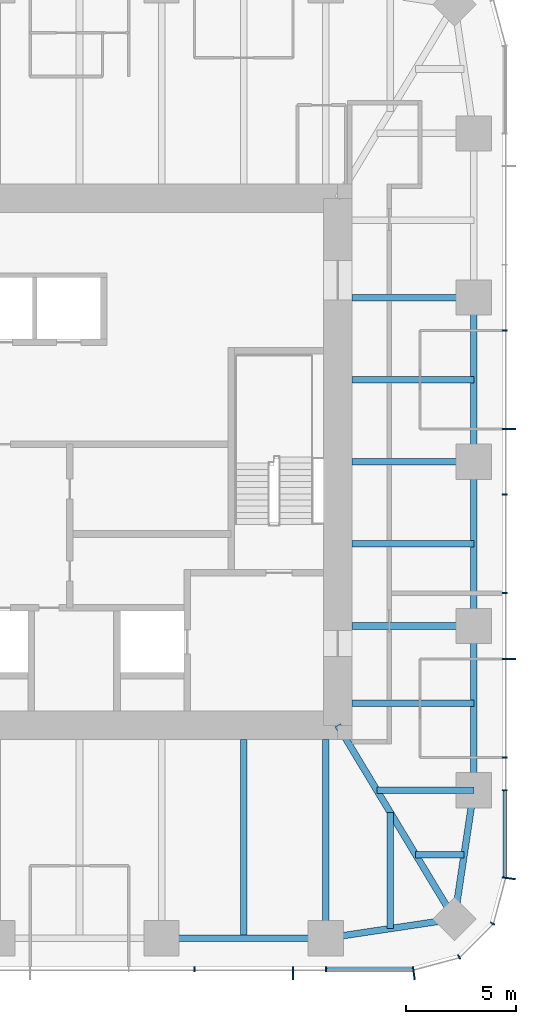
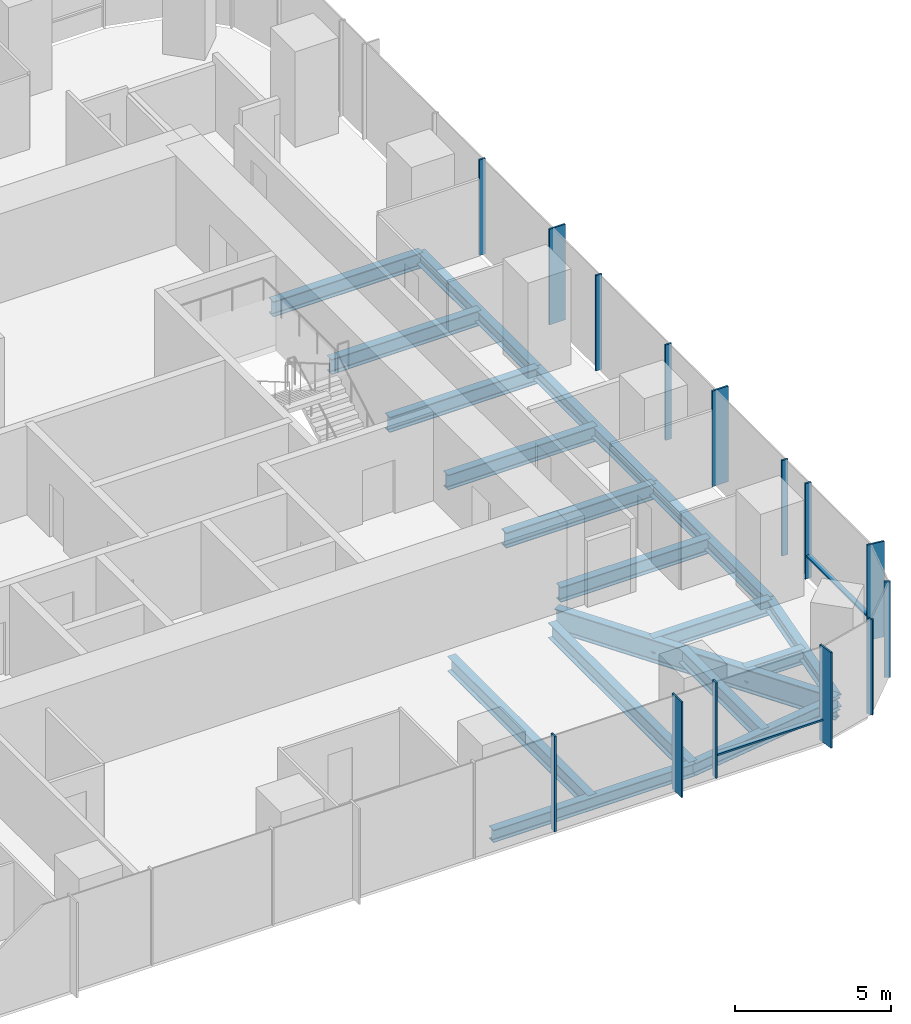
# One storey, part 4 of 12: 18 beams, 16 members, 3 elements without a shape of their own.
"""IFC4 building model written with IfcOpenShell, lengths in metres."""

import ifcopenshell
import ifcopenshell.guid

model = None  # the IFC model being written
_history = None  # IfcOwnerHistory: only IFC2X3 demands one
_inside = {}  # id of a spatial element -> (the spatial element, [elements in it])
_under = {}  # id of a project, library or spatial element -> (it, [spatial elements below it])
_declared = {}  # id of a project -> (the project, [libraries it declares])
_typed = {}  # id of a type object -> (the type object, [elements of that type])
_made_of = {}  # id of a material, layer set ... -> (it, [elements and type objects made of it])


def new_model(schema):
    """Start an empty IFC model of exactly this schema.

    Asked for "IFC4X3", IfcOpenShell would pick the latest addendum, in which some entities
    have other attributes; the version numbers below select the first issue.
    IFC2X3 requires an IfcOwnerHistory on every rooted entity: one is made here for all.
    """
    global model, _history
    if schema == "IFC4X3":
        model = ifcopenshell.file(schema_version=(4, 3, 0, 0))
    else:
        model = ifcopenshell.file(schema=schema)
    _inside.clear()
    _under.clear()
    _declared.clear()
    _typed.clear()
    _made_of.clear()
    _history = None
    if model.schema == "IFC2X3":
        org = make("IfcOrganization", Name="unknown")
        user = make(
            "IfcPersonAndOrganization",
            ThePerson=make("IfcPerson", FamilyName="unknown"),
            TheOrganization=org,
        )
        app = make(
            "IfcApplication",
            ApplicationDeveloper=org,
            Version="unknown",
            ApplicationFullName="unknown",
            ApplicationIdentifier="unknown",
        )
        _history = make(
            "IfcOwnerHistory",
            OwningUser=user,
            OwningApplication=app,
            ChangeAction="ADDED",
            CreationDate=0,
        )
    return model


def make(cls, **values):
    """One entity of the class cls with the attributes given. An attribute that is None is left unset."""
    return model.create_entity(
        cls, **{name: value for name, value in values.items() if value is not None}
    )


def rooted(cls, **values):
    """An entity with a GlobalId (a new one), such as an element, a storey or a relation."""
    return make(cls, GlobalId=ifcopenshell.guid.new(), OwnerHistory=_history, **values)


def si_unit(unit_type, name, prefix=None):
    """IfcSIUnit, for example si_unit("LENGTHUNIT", "METRE", prefix="MILLI")."""
    return make("IfcSIUnit", UnitType=unit_type, Prefix=prefix, Name=name)


def assignment(units):
    """IfcUnitAssignment: the units of a project."""
    return None if units is None else make("IfcUnitAssignment", Units=units)


def point(xyz):
    """IfcCartesianPoint."""
    return None if xyz is None else make("IfcCartesianPoint", Coordinates=xyz)


def direction(xyz):
    """IfcDirection."""
    return None if xyz is None else make("IfcDirection", DirectionRatios=xyz)


def frame(location, z_axis=None, x_axis=None):
    """IfcAxis2Placement3D, a coordinate frame: its origin and axes. An axis left out is left unset."""
    return make(
        "IfcAxis2Placement3D",
        Location=point(location),
        Axis=direction(z_axis),
        RefDirection=direction(x_axis),
    )


def frame_2d(location, x_axis=None):
    """IfcAxis2Placement2D, a coordinate frame in the plane: its origin and x axis."""
    return make(
        "IfcAxis2Placement2D", Location=point(location), RefDirection=direction(x_axis)
    )


def origin():
    """The frame at (0, 0, 0) with its axes left unset."""
    return frame((0.0, 0.0, 0.0))


def origin_2d():
    """The frame at (0, 0) in the plane with its x axis left unset."""
    return frame_2d((0.0, 0.0))


def place(relative_to, where):
    """IfcLocalPlacement: puts the frame where relative to a parent placement (None: the world)."""
    return make(
        "IfcLocalPlacement", PlacementRelTo=relative_to, RelativePlacement=where
    )


def context(
    kind, dimensions, precision=None, world=None, true_north=None, identifier=None
):
    """IfcGeometricRepresentationContext, for example the 3D "Model" context."""
    return make(
        "IfcGeometricRepresentationContext",
        ContextIdentifier=identifier,
        ContextType=kind,
        CoordinateSpaceDimension=dimensions,
        Precision=precision,
        WorldCoordinateSystem=world,
        TrueNorth=true_north,
    )


def subcontext(parent, identifier, kind, view, scale=None):
    """IfcGeometricRepresentationSubContext, for example "Body" below "Model"."""
    return make(
        "IfcGeometricRepresentationSubContext",
        ContextIdentifier=identifier,
        ContextType=kind,
        ParentContext=parent,
        TargetScale=scale,
        TargetView=view,
    )


def project(units=None, contexts=None):
    """IfcProject with its units and contexts."""
    return rooted(
        "IfcProject",
        Name="project",
        RepresentationContexts=contexts,
        UnitsInContext=assignment(units),
    )


def spatial(cls, under=None, at=None, **own):
    """A site, building, storey or space (cls), placed at a placement, below another one or the project."""
    s = rooted(cls, ObjectPlacement=at, **own)
    if under is not None:
        _under.setdefault(under.id(), (under, []))[1].append(s)
    return s


def profile(cls, at=None, kind="AREA", **sizes):
    """A parametric profile (cls). Its sizes go by their IFC names, for example OverallWidth=200.0."""
    return make(cls, ProfileType=kind, Position=at, **sizes)


def rectangle(**sizes):
    """IfcRectangleProfileDef."""
    return profile("IfcRectangleProfileDef", **sizes)


def i_section(**sizes):
    """IfcIShapeProfileDef."""
    return profile("IfcIShapeProfileDef", **sizes)


def extrude(swept, where, along, depth):
    """IfcExtrudedAreaSolid: the profile swept, set in the frame where, extruded along a direction by depth."""
    return make(
        "IfcExtrudedAreaSolid",
        SweptArea=swept,
        Position=where,
        ExtrudedDirection=direction(along),
        Depth=depth,
    )


def shape(context_of_items, identifier, shape_type, items):
    """IfcShapeRepresentation: the items that make up one representation, for example the "Body"."""
    return make(
        "IfcShapeRepresentation",
        ContextOfItems=context_of_items,
        RepresentationIdentifier=identifier,
        RepresentationType=shape_type,
        Items=items,
    )


def material(Name=None, Category=None):
    """IfcMaterial."""
    return make("IfcMaterial", Name=Name, Category=Category)


def material_profile(
    of_material, cross_section, Name=None, Category=None, Priority=None
):
    """IfcMaterialProfile: a cross section and its material."""
    return make(
        "IfcMaterialProfile",
        Name=Name,
        Material=of_material,
        Profile=cross_section,
        Priority=Priority,
        Category=Category,
    )


def profile_set(profiles, Name=None, composite=None):
    """IfcMaterialProfileSet."""
    return make(
        "IfcMaterialProfileSet",
        Name=Name,
        MaterialProfiles=profiles,
        CompositeProfile=composite,
    )


def made_of(thing, what):
    """Note that an element or type object is made of a material, layer set ...; save() writes the relation."""
    if what is not None:
        _made_of.setdefault(what.id(), (what, []))[1].append(thing)
    return thing


def type_object(cls, material=None, **own):
    """A type object (cls), such as IfcWallType, which elements share."""
    return made_of(rooted(cls, **own), material)


def element(
    cls,
    number,
    at=None,
    inside=None,
    cuts=None,
    type_object=None,
    material=None,
    context=None,
    identifier="Body",
    shape_type=None,
    held_by="IfcProductDefinitionShape",
    body=None,
    shapes=None,
    **own,
):
    """One element of the class cls, such as IfcWall. Its Tag is "e" and its number.

    at: its placement. inside: the storey or other place that contains it. cuts: it is an
    opening in that element (IfcRelVoidsElement). A single representation is given by context,
    identifier, shape_type and body (its items); several are given by shapes. held_by: the class
    of the entity that holds the representations. save() writes the other relations.
    """
    e = rooted(cls, Tag="e%d" % number, ObjectPlacement=at, **own)
    if body is not None:
        shapes = [shape(context, identifier, shape_type, body)]
    if shapes is not None:
        e.Representation = make(held_by, Representations=shapes)
    if inside is not None:
        _inside.setdefault(inside.id(), (inside, []))[1].append(e)
    if cuts is not None:
        rooted(
            "IfcRelVoidsElement", RelatingBuildingElement=cuts, RelatedOpeningElement=e
        )
    if type_object is not None:
        _typed.setdefault(type_object.id(), (type_object, []))[1].append(e)
    return made_of(e, material)


def aggregate(whole, parts):
    """IfcRelAggregates: a whole, such as a stair, and the parts it consists of."""
    return rooted("IfcRelAggregates", RelatingObject=whole, RelatedObjects=parts)


def save(model, path):
    """Write the relations noted so far, then the file.

    IfcRelAggregates (storeys below a building ...), IfcRelContainedInSpatialStructure (elements
    in a storey), IfcRelDefinesByType, IfcRelAssociatesMaterial and IfcRelDeclares: one each for
    every whole, place, type object, material and project.
    """
    for whole, parts in _under.values():
        aggregate(whole, parts)
    for where, things in _inside.values():
        rooted(
            "IfcRelContainedInSpatialStructure",
            RelatedElements=things,
            RelatingStructure=where,
        )
    for kind, things in _typed.values():
        rooted("IfcRelDefinesByType", RelatedObjects=things, RelatingType=kind)
    for what, things in _made_of.values():
        rooted("IfcRelAssociatesMaterial", RelatedObjects=things, RelatingMaterial=what)
    for by, libraries in _declared.values():
        rooted("IfcRelDeclares", RelatingContext=by, RelatedDefinitions=libraries)
    model.write(path)


model = new_model("IFC4")

# Units and contexts
model_context = context("Model", 3, precision=1e-05, world=origin(), true_north=direction((0.0, 1.0)))
body_context = subcontext(model_context, "Body", "Model", "MODEL_VIEW")
ifc_project = project(units=[si_unit("LENGTHUNIT", "METRE"), si_unit("AREAUNIT", "SQUARE_METRE"), si_unit("VOLUMEUNIT", "CUBIC_METRE"), si_unit("PLANEANGLEUNIT", "RADIAN"), si_unit("MASSUNIT", "GRAM", prefix="KILO")], contexts=[model_context])

# Site, building, storey
site_placement = place(None, origin())
site = spatial("IfcSite", under=ifc_project, at=site_placement, CompositionType="ELEMENT")
building_placement = place(site_placement, origin())
building = spatial("IfcBuilding", under=site, at=building_placement, Name="Khuree Lantern Residences", CompositionType="ELEMENT")
storey_placement = place(building_placement, frame((0.0, 0.0, 334.5)))
storey = spatial("IfcBuildingStorey", under=building, at=storey_placement, Name="L84", CompositionType="ELEMENT", Elevation=334.5)

# Beams
ifc_material_1 = material(Name="Steel S355", Category="steel")
ifc_material_profile_1 = material_profile(ifc_material_1, i_section(OverallWidth=0.300048828125, OverallDepth=0.590087890625, WebThickness=0.012939453125, FlangeThickness=0.02490234375, FilletRadius=0.027099609375, at=origin_2d()), Name="HE 600 A")
ifc_profile_set_1 = profile_set([ifc_material_profile_1], Name="Steel S355")
beam_type_1 = type_object("IfcBeamType", Name="B-44 SECONDARY BEAM HE 600 A", PredefinedType="BEAM", material=ifc_profile_set_1)
for number, where, z_axis, x_axis, name in (
    (1, (21.699951171875, 3.739990234375, -0.544921875), (-1.0, 0.0, 0.0), (0.0, -1.0, 0.0), "Secondary beam E3"),
    (2, (21.699951171875, -3.739990234375, -0.544921875), (-1.0, 0.0, 0.0), (0.0, -1.0, 0.0), "Secondary beam E4"),
    (3, (21.699951171875, -11.0, -0.544921875), (-1.0, 0.0, 0.0), (0.0, -1.0, 0.0), "Secondary beam E5"),
):
    element("IfcBeam", number, at=place(storey_placement, frame(where, z_axis=z_axis, x_axis=x_axis)), inside=storey, type_object=beam_type_1, Name=name, PredefinedType="BEAM", context=body_context, shape_type="SweptSolid", body=[
        extrude(i_section(OverallWidth=0.300048828125, OverallDepth=0.590087890625, WebThickness=0.012939453125, FlangeThickness=0.02490234375, FilletRadius=0.027099609375, at=origin_2d()), origin(), (0.0, 0.0, 1.0), 5.550048828125),
    ])
beam_1_placement = place(storey_placement, frame((21.2607421875, -17.890625, -0.544921875), z_axis=(-1.0, 0.0, 0.0), x_axis=(0.0, -1.0, 0.0)))
element("IfcBeam", 4, at=beam_1_placement, inside=storey, type_object=beam_type_1, Name="Secondary beam E6", PredefinedType="BEAM", context=body_context, shape_type="SweptSolid", body=[
    extrude(i_section(OverallWidth=0.300048828125, OverallDepth=0.590087890625, WebThickness=0.012939453125, FlangeThickness=0.02490234375, FilletRadius=0.027099609375, at=origin_2d()), origin(), (0.0, 0.0, 1.0), 2.207275390625),
])
beam_2_placement = place(storey_placement, frame((17.890625, -21.2607421875, -0.544921875), z_axis=(0.0, 1.0, 0.0), x_axis=(-1.0, 0.0, 0.0)))
element("IfcBeam", 5, at=beam_2_placement, inside=storey, type_object=beam_type_1, Name="Secondary beam S1", PredefinedType="BEAM", context=body_context, shape_type="SweptSolid", body=[
    extrude(i_section(OverallWidth=0.300048828125, OverallDepth=0.590087890625, WebThickness=0.012939453125, FlangeThickness=0.02490234375, FilletRadius=0.027099609375, at=origin_2d()), origin(), (0.0, 0.0, 1.0), 5.297607421875),
])
beam_3_placement = place(storey_placement, frame((11.219970703125, -21.699951171875, -0.544921875), z_axis=(0.0, 1.0, 0.0), x_axis=(-1.0, 0.0, 0.0)))
element("IfcBeam", 6, at=beam_3_placement, inside=storey, type_object=beam_type_1, Name="Secondary beam S2", PredefinedType="BEAM", context=body_context, shape_type="SweptSolid", body=[
    extrude(i_section(OverallWidth=0.300048828125, OverallDepth=0.590087890625, WebThickness=0.012939453125, FlangeThickness=0.02490234375, FilletRadius=0.027099609375, at=origin_2d()), origin(), (0.0, 0.0, 1.0), 9.050048828125),
])
ifc_material_profile_2 = material_profile(ifc_material_1, i_section(OverallWidth=0.300048828125, OverallDepth=0.489990234375, WebThickness=0.011962890625, FlangeThickness=0.02294921875, FilletRadius=0.027099609375, at=origin_2d()), Name="HE 500 A")
ifc_profile_set_2 = profile_set([ifc_material_profile_2], Name="Steel S355")
beam_type_2 = type_object("IfcBeamType", Name="E-44 SPANDREL BEAM HE 500 A", PredefinedType="SPANDREL", material=ifc_profile_set_2)
for number, where, z_axis, x_axis, name in (
    (7, (21.699951171875, 7.47998046875, -0.4951171875), (0.0, -1.0, 0.0), (1.0, 0.0, 0.0), "Spandrel beam E3"),
    (8, (21.699951171875, 0.0, -0.4951171875), (0.0, -1.0, 0.0), (1.0, 0.0, 0.0), "Spandrel beam E4"),
    (9, (21.699951171875, -7.47998046875, -0.4951171875), (0.0, -1.0, 0.0), (1.0, 0.0, 0.0), "Spandrel beam E5"),
):
    element("IfcBeam", number, at=place(storey_placement, frame(where, z_axis=z_axis, x_axis=x_axis)), inside=storey, type_object=beam_type_2, Name=name, PredefinedType="SPANDREL", context=body_context, shape_type="SweptSolid", body=[
        extrude(i_section(OverallWidth=0.300048828125, OverallDepth=0.489990234375, WebThickness=0.011962890625, FlangeThickness=0.02294921875, FilletRadius=0.027099609375, at=origin_2d()), origin(), (0.0, 0.0, 1.0), 7.47998046875),
    ])
for number, where, z_axis, x_axis, name in (
    (10, (21.699951171875, -14.9599609375, -0.4951171875), (-0.148251822985, -0.988949643299, 0.0), (0.988949643299, -0.148251822985, 0.0), "Spandrel beam E6"),
    (11, (20.8212890625, -20.8212890625, -0.4951171875), (-0.988949643299, -0.148251822985, 0.0), (0.148251822985, -0.988949643299, 0.0), "Spandrel beam S1"),
):
    element("IfcBeam", number, at=place(storey_placement, frame(where, z_axis=z_axis, x_axis=x_axis)), inside=storey, type_object=beam_type_2, Name=name, PredefinedType="SPANDREL", context=body_context, shape_type="SweptSolid", body=[
        extrude(i_section(OverallWidth=0.300048828125, OverallDepth=0.489990234375, WebThickness=0.011962890625, FlangeThickness=0.02294921875, FilletRadius=0.027099609375, at=origin_2d()), origin(), (0.0, 0.0, 1.0), 5.9267578125),
    ])
beam_4_placement = place(storey_placement, frame((14.9599609375, -21.699951171875, -0.4951171875), z_axis=(-1.0, 0.0, 0.0), x_axis=(0.0, -1.0, 0.0)))
element("IfcBeam", 12, at=beam_4_placement, inside=storey, type_object=beam_type_2, Name="Spandrel beam S2", PredefinedType="SPANDREL", context=body_context, shape_type="SweptSolid", body=[
    extrude(i_section(OverallWidth=0.300048828125, OverallDepth=0.489990234375, WebThickness=0.011962890625, FlangeThickness=0.02294921875, FilletRadius=0.027099609375, at=origin_2d()), origin(), (0.0, 0.0, 1.0), 7.47998046875),
])

# Curtain wall, member
ifc_material_2 = material(Name="Bronze anodised aluminium", Category="aluminium")
curtain_wall_type_1 = type_object("IfcCurtainWallType", Name="CW-T2 TOWER CORNER CURTAIN WALL", PredefinedType="USERDEFINED", material=ifc_material_2)
curtain_wall_1_placement = place(storey_placement, origin())
curtain_wall_1 = element("IfcCurtainWall", 13, at=curtain_wall_1_placement, inside=storey, type_object=curtain_wall_type_1, Name="L84 SOUTH-EAST CORNER CURTAIN WALL", ObjectType="Faceted corner curtain wall", PredefinedType="USERDEFINED")
ifc_material_profile_3 = material_profile(ifc_material_2, rectangle(XDim=0.06494140625, YDim=0.60009765625, at=origin_2d()), Name="F1 65X600")
ifc_profile_set_3 = profile_set([ifc_material_profile_3], Name="Bronze anodised aluminium")
member_type_1 = type_object("IfcMemberType", Name="F1 BRONZE FIN MULLION TOWER 65X600", PredefinedType="MULLION", material=ifc_profile_set_3)
member_1_placement = place(storey_placement, frame((18.9697265625, -23.300048828125, 0.0), z_axis=(0.0, 0.0, 1.0), x_axis=(0.991444870192, 0.130526125236, 0.0)))
member_1 = element("IfcMember", 14, at=member_1_placement, type_object=member_type_1, Name="L84 SOUTH-EAST CORNER FIN MULLION 1", PredefinedType="MULLION", context=body_context, shape_type="SweptSolid", body=[
    extrude(rectangle(XDim=0.06494140625, YDim=0.60009765625, at=origin_2d()), origin(), (0.0, 0.0, 1.0), 3.75),
])

# Curtain wall, members
curtain_wall_type_2 = type_object("IfcCurtainWallType", Name="CW-T1 TOWER FACE CURTAIN WALL", PredefinedType="USERDEFINED", material=ifc_material_2)
curtain_wall_2_placement = place(storey_placement, origin())
curtain_wall_2 = element("IfcCurtainWall", 15, at=curtain_wall_2_placement, inside=storey, type_object=curtain_wall_type_2, Name="L84 EAST FACE CURTAIN WALL", ObjectType="Stick-built curtain wall", PredefinedType="USERDEFINED")
member_2_placement = place(storey_placement, frame((23.300048828125, -18.9697265625, 0.0), z_axis=(0.0, 0.0, 1.0), x_axis=(0.130526125236, 0.991444870192, 0.0)))
member_2 = element("IfcMember", 16, at=member_2_placement, type_object=member_type_1, Name="L84 EAST FACE FIN MULLION 4", PredefinedType="MULLION", context=body_context, shape_type="SweptSolid", body=[
    extrude(rectangle(XDim=0.06494140625, YDim=0.60009765625, at=origin_2d()), origin(), (0.0, 0.0, 1.0), 3.75),
])
member_3_placement = place(storey_placement, frame((23.300048828125, -8.97607421875, 0.0), z_axis=(0.0, 0.0, 1.0), x_axis=(0.0, 1.0, 0.0)))
member_3 = element("IfcMember", 17, at=member_3_placement, type_object=member_type_1, Name="L84 EAST FACE FIN MULLION 7", PredefinedType="MULLION", context=body_context, shape_type="SweptSolid", body=[
    extrude(rectangle(XDim=0.06494140625, YDim=0.60009765625, at=origin_2d()), origin(), (0.0, 0.0, 1.0), 3.75),
])
member_4_placement = place(storey_placement, frame((23.300048828125, 1.49609375, 0.0), z_axis=(0.0, 0.0, 1.0), x_axis=(0.0, 1.0, 0.0)))
member_4 = element("IfcMember", 18, at=member_4_placement, type_object=member_type_1, Name="L84 EAST FACE FIN MULLION 10", PredefinedType="MULLION", context=body_context, shape_type="SweptSolid", body=[
    extrude(rectangle(XDim=0.06494140625, YDim=0.60009765625, at=origin_2d()), origin(), (0.0, 0.0, 1.0), 3.75),
])

# Curtain wall, member
curtain_wall_3_placement = place(storey_placement, origin())
curtain_wall_3 = element("IfcCurtainWall", 19, at=curtain_wall_3_placement, inside=storey, type_object=curtain_wall_type_2, Name="L84 SOUTH FACE CURTAIN WALL", ObjectType="Stick-built curtain wall", PredefinedType="USERDEFINED")
member_5_placement = place(storey_placement, frame((13.464111328125, -23.300048828125, 0.0), z_axis=(0.0, 0.0, 1.0), x_axis=(1.0, 0.0, 0.0)))
member_5 = element("IfcMember", 20, at=member_5_placement, type_object=member_type_1, Name="L84 SOUTH FACE FIN MULLION 55", PredefinedType="MULLION", context=body_context, shape_type="SweptSolid", body=[
    extrude(rectangle(XDim=0.06494140625, YDim=0.60009765625, at=origin_2d()), origin(), (0.0, 0.0, 1.0), 3.75),
])

# Beams
ifc_material_profile_4 = material_profile(ifc_material_1, i_section(OverallWidth=0.300048828125, OverallDepth=0.60009765625, WebThickness=0.015380859375, FlangeThickness=0.030029296875, FilletRadius=0.027099609375, at=origin_2d()), Name="HE 600 B")
ifc_profile_set_4 = profile_set([ifc_material_profile_4], Name="Steel S355")
beam_type_3 = type_object("IfcBeamType", Name="G-44 GIRDER HE 600 B", PredefinedType="BEAM", material=ifc_profile_set_4)
for number, where, z_axis, x_axis, name in (
    (21, (21.699951171875, 7.47998046875, -0.550048828125), (-1.0, 0.0, 0.0), (0.0, -1.0, 0.0), "Girder E2"),
    (22, (21.699951171875, 0.0, -0.550048828125), (-1.0, 0.0, 0.0), (0.0, -1.0, 0.0), "Girder E3"),
    (23, (21.699951171875, -7.47998046875, -0.550048828125), (-1.0, 0.0, 0.0), (0.0, -1.0, 0.0), "Girder E4"),
):
    element("IfcBeam", number, at=place(storey_placement, frame(where, z_axis=z_axis, x_axis=x_axis)), inside=storey, type_object=beam_type_3, Name=name, PredefinedType="BEAM", context=body_context, shape_type="SweptSolid", body=[
        extrude(i_section(OverallWidth=0.300048828125, OverallDepth=0.60009765625, WebThickness=0.015380859375, FlangeThickness=0.030029296875, FilletRadius=0.027099609375, at=origin_2d()), origin(), (0.0, 0.0, 1.0), 5.550048828125),
    ])
beam_5_placement = place(storey_placement, frame((21.699951171875, -14.9599609375, -0.550048828125), z_axis=(-1.0, 0.0, 0.0), x_axis=(0.0, -1.0, 0.0)))
element("IfcBeam", 24, at=beam_5_placement, inside=storey, type_object=beam_type_3, Name="Girder E5", PredefinedType="BEAM", context=body_context, shape_type="SweptSolid", body=[
    extrude(i_section(OverallWidth=0.300048828125, OverallDepth=0.60009765625, WebThickness=0.015380859375, FlangeThickness=0.030029296875, FilletRadius=0.027099609375, at=origin_2d()), origin(), (0.0, 0.0, 1.0), 4.414306640625),
])
beam_6_placement = place(storey_placement, frame((14.9599609375, -21.699951171875, -0.550048828125), z_axis=(0.0, 1.0, 0.0), x_axis=(-1.0, 0.0, 0.0)))
element("IfcBeam", 25, at=beam_6_placement, inside=storey, type_object=beam_type_3, Name="Girder S1", PredefinedType="BEAM", context=body_context, shape_type="SweptSolid", body=[
    extrude(i_section(OverallWidth=0.300048828125, OverallDepth=0.60009765625, WebThickness=0.015380859375, FlangeThickness=0.030029296875, FilletRadius=0.027099609375, at=origin_2d()), origin(), (0.0, 0.0, 1.0), 9.050048828125),
])
ifc_material_profile_5 = material_profile(ifc_material_1, i_section(OverallWidth=0.300048828125, OverallDepth=0.89990234375, WebThickness=0.0185546875, FlangeThickness=0.034912109375, FilletRadius=0.030029296875, at=origin_2d()), Name="HE 900 B")
ifc_profile_set_5 = profile_set([ifc_material_profile_5], Name="Steel S355")
beam_type_4 = type_object("IfcBeamType", Name="GD-44 CORNER GIRDER HE 900 B", PredefinedType="BEAM", material=ifc_profile_set_5)
beam_7_placement = place(storey_placement, frame((20.8212890625, -20.8212890625, -0.699951171875), z_axis=(-0.516529577604, 0.856269347495, 0.0), x_axis=(-0.856269347495, -0.516529577604, 0.0)))
element("IfcBeam", 26, at=beam_7_placement, inside=storey, type_object=beam_type_4, Name="Corner girder SE", PredefinedType="BEAM", context=body_context, shape_type="SweptSolid", body=[
    extrude(i_section(OverallWidth=0.300048828125, OverallDepth=0.89990234375, WebThickness=0.0185546875, FlangeThickness=0.034912109375, FilletRadius=0.030029296875, at=origin_2d()), origin(), (0.0, 0.0, 1.0), 10.302001953125),
])

# Member
ifc_material_profile_6 = material_profile(ifc_material_2, rectangle(XDim=0.06494140625, YDim=0.219970703125, at=origin_2d()), Name="M1 65X220")
ifc_profile_set_6 = profile_set([ifc_material_profile_6], Name="Bronze anodised aluminium")
member_type_2 = type_object("IfcMemberType", Name="M1 BRONZE MULLION TOWER 65X220", PredefinedType="MULLION", material=ifc_profile_set_6)
member_6_placement = place(storey_placement, frame((21.030029296875, -22.552734375, 0.0), z_axis=(0.0, 0.0, 1.0), x_axis=(0.866025437565, 0.49999994149, 0.0)))
member_6 = element("IfcMember", 27, at=member_6_placement, type_object=member_type_2, Name="L84 SOUTH-EAST CORNER MULLION 2", PredefinedType="MULLION", context=body_context, shape_type="SweptSolid", body=[
    extrude(rectangle(XDim=0.06494140625, YDim=0.219970703125, at=origin_2d()), origin(), (0.0, 0.0, 1.0), 3.75),
])

member_7_placement = place(storey_placement, frame((22.552734375, -21.030029296875, 0.0), z_axis=(0.0, 0.0, 1.0), x_axis=(0.49999994149, 0.866025437565, 0.0)))
member_7 = element("IfcMember", 28, at=member_7_placement, type_object=member_type_2, Name="L84 SOUTH-EAST CORNER MULLION 3", PredefinedType="MULLION", context=body_context, shape_type="SweptSolid", body=[
    extrude(rectangle(XDim=0.06494140625, YDim=0.219970703125, at=origin_2d()), origin(), (0.0, 0.0, 1.0), 3.75),
])

aggregate(curtain_wall_1, [member_1, member_6, member_7])

member_8_placement = place(storey_placement, frame((23.110107421875, -14.9599609375, 0.0), z_axis=(0.0, 0.0, 1.0), x_axis=(0.0, 1.0, 0.0)))
member_8 = element("IfcMember", 29, at=member_8_placement, type_object=member_type_2, Name="L84 EAST FACE MULLION 5", PredefinedType="MULLION", context=body_context, shape_type="SweptSolid", body=[
    extrude(rectangle(XDim=0.06494140625, YDim=0.219970703125, at=origin_2d()), origin(), (0.0, 0.0, 1.0), 3.75),
])

member_9_placement = place(storey_placement, frame((23.110107421875, -13.464111328125, 0.0), z_axis=(0.0, 0.0, 1.0), x_axis=(0.0, 1.0, 0.0)))
member_9 = element("IfcMember", 30, at=member_9_placement, type_object=member_type_2, Name="L84 EAST FACE MULLION 6", PredefinedType="MULLION", context=body_context, shape_type="SweptSolid", body=[
    extrude(rectangle(XDim=0.06494140625, YDim=0.219970703125, at=origin_2d()), origin(), (0.0, 0.0, 1.0), 3.75),
])

member_10_placement = place(storey_placement, frame((23.110107421875, -5.98388671875, 0.0), z_axis=(0.0, 0.0, 1.0), x_axis=(0.0, 1.0, 0.0)))
member_10 = element("IfcMember", 31, at=member_10_placement, type_object=member_type_2, Name="L84 EAST FACE MULLION 8", PredefinedType="MULLION", context=body_context, shape_type="SweptSolid", body=[
    extrude(rectangle(XDim=0.06494140625, YDim=0.219970703125, at=origin_2d()), origin(), (0.0, 0.0, 1.0), 3.75),
])

member_11_placement = place(storey_placement, frame((23.110107421875, -1.49609375, 0.0), z_axis=(0.0, 0.0, 1.0), x_axis=(0.0, 1.0, 0.0)))
member_11 = element("IfcMember", 32, at=member_11_placement, type_object=member_type_2, Name="L84 EAST FACE MULLION 9", PredefinedType="MULLION", context=body_context, shape_type="SweptSolid", body=[
    extrude(rectangle(XDim=0.06494140625, YDim=0.219970703125, at=origin_2d()), origin(), (0.0, 0.0, 1.0), 3.75),
])

member_12_placement = place(storey_placement, frame((23.110107421875, 5.98388671875, 0.0), z_axis=(0.0, 0.0, 1.0), x_axis=(0.0, 1.0, 0.0)))
member_12 = element("IfcMember", 33, at=member_12_placement, type_object=member_type_2, Name="L84 EAST FACE MULLION 11", PredefinedType="MULLION", context=body_context, shape_type="SweptSolid", body=[
    extrude(rectangle(XDim=0.06494140625, YDim=0.219970703125, at=origin_2d()), origin(), (0.0, 0.0, 1.0), 3.75),
])

member_13_placement = place(storey_placement, frame((8.97607421875, -23.110107421875, 0.0), z_axis=(0.0, 0.0, 1.0), x_axis=(1.0, 0.0, 0.0)))
member_13 = element("IfcMember", 34, at=member_13_placement, type_object=member_type_2, Name="L84 SOUTH FACE MULLION 54", PredefinedType="MULLION", context=body_context, shape_type="SweptSolid", body=[
    extrude(rectangle(XDim=0.06494140625, YDim=0.219970703125, at=origin_2d()), origin(), (0.0, 0.0, 1.0), 3.75),
])

member_14_placement = place(storey_placement, frame((14.9599609375, -23.110107421875, 0.0), z_axis=(0.0, 0.0, 1.0), x_axis=(1.0, 0.0, 0.0)))
member_14 = element("IfcMember", 35, at=member_14_placement, type_object=member_type_2, Name="L84 SOUTH FACE MULLION 56", PredefinedType="MULLION", context=body_context, shape_type="SweptSolid", body=[
    extrude(rectangle(XDim=0.06494140625, YDim=0.219970703125, at=origin_2d()), origin(), (0.0, 0.0, 1.0), 3.75),
])

ifc_material_profile_7 = material_profile(ifc_material_2, rectangle(XDim=0.179931640625, YDim=0.06494140625, at=origin_2d()), Name="T1 180X65")
ifc_profile_set_7 = profile_set([ifc_material_profile_7], Name="Bronze anodised aluminium")
member_type_3 = type_object("IfcMemberType", Name="TRANSOM T1 TOWER 180X65", PredefinedType="USERDEFINED", material=ifc_profile_set_7)
member_15_placement = place(storey_placement, frame((23.1201171875, -18.9013671875, 0.89990234375), z_axis=(0.0, 1.0, 0.0), x_axis=(-1.0, 0.0, 0.0)))
member_15 = element("IfcMember", 36, at=member_15_placement, type_object=member_type_3, Name="L84 EAST FACE TRANSOM 4.1", ObjectType="Transom", PredefinedType="USERDEFINED", context=body_context, shape_type="SweptSolid", body=[
    extrude(rectangle(XDim=0.179931640625, YDim=0.06494140625, at=origin_2d()), origin(), (0.0, 0.0, 1.0), 3.908935546875),
])

aggregate(curtain_wall_2, [member_2, member_8, member_9, member_3, member_10, member_11, member_4, member_12, member_15])

member_16_placement = place(storey_placement, frame((14.992431640625, -23.1201171875, 0.89990234375), z_axis=(1.0, 0.0, 0.0), x_axis=(0.0, 1.0, 0.0)))
member_16 = element("IfcMember", 37, at=member_16_placement, type_object=member_type_3, Name="L84 SOUTH FACE TRANSOM 56.1", ObjectType="Transom", PredefinedType="USERDEFINED", context=body_context, shape_type="SweptSolid", body=[
    extrude(rectangle(XDim=0.179931640625, YDim=0.06494140625, at=origin_2d()), origin(), (0.0, 0.0, 1.0), 3.908935546875),
])

aggregate(curtain_wall_3, [member_13, member_5, member_14, member_16])

save(model, "model.ifc")
